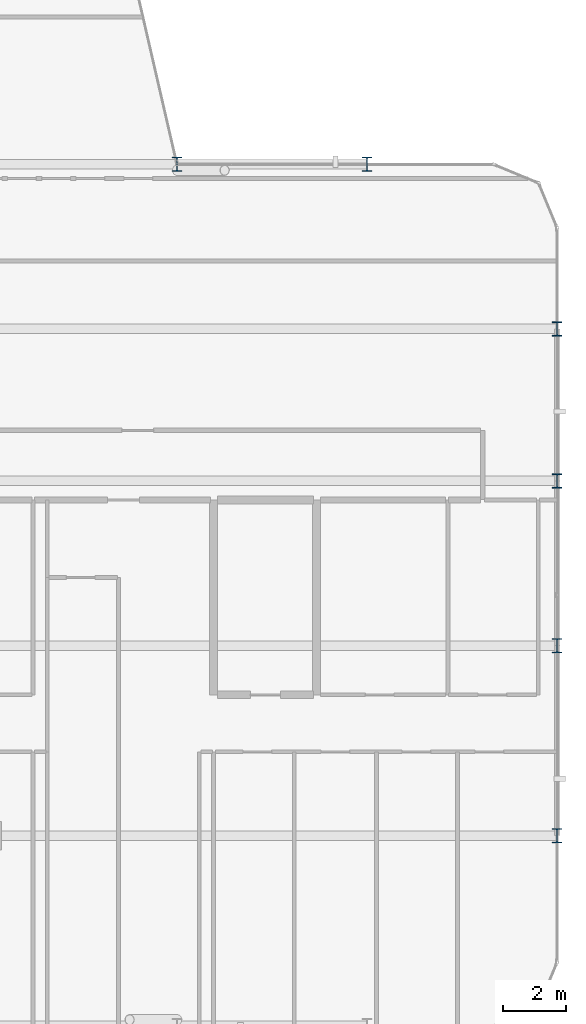
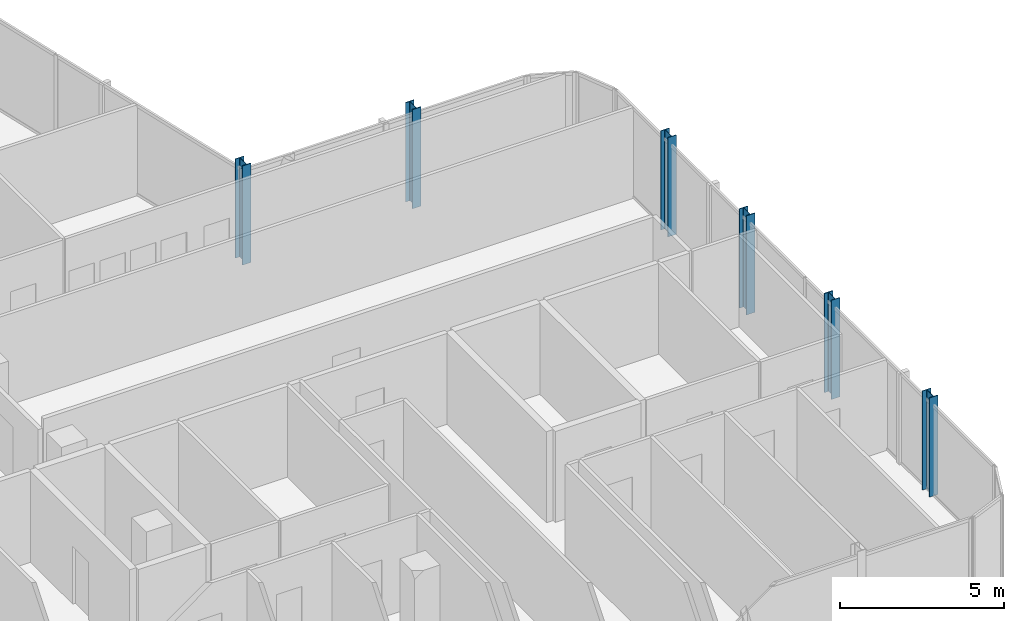
# One storey, part 2 of 29: 6 columns.
"""IFC4 building model written with IfcOpenShell, lengths in metres."""

import ifcopenshell
import ifcopenshell.guid

model = None  # the IFC model being written
_history = None  # IfcOwnerHistory: only IFC2X3 demands one
_inside = {}  # id of a spatial element -> (the spatial element, [elements in it])
_under = {}  # id of a project, library or spatial element -> (it, [spatial elements below it])
_declared = {}  # id of a project -> (the project, [libraries it declares])
_typed = {}  # id of a type object -> (the type object, [elements of that type])
_made_of = {}  # id of a material, layer set ... -> (it, [elements and type objects made of it])


def new_model(schema):
    """Start an empty IFC model of exactly this schema.

    Asked for "IFC4X3", IfcOpenShell would pick the latest addendum, in which some entities
    have other attributes; the version numbers below select the first issue.
    IFC2X3 requires an IfcOwnerHistory on every rooted entity: one is made here for all.
    """
    global model, _history
    if schema == "IFC4X3":
        model = ifcopenshell.file(schema_version=(4, 3, 0, 0))
    else:
        model = ifcopenshell.file(schema=schema)
    _inside.clear()
    _under.clear()
    _declared.clear()
    _typed.clear()
    _made_of.clear()
    _history = None
    if model.schema == "IFC2X3":
        org = make("IfcOrganization", Name="unknown")
        user = make(
            "IfcPersonAndOrganization",
            ThePerson=make("IfcPerson", FamilyName="unknown"),
            TheOrganization=org,
        )
        app = make(
            "IfcApplication",
            ApplicationDeveloper=org,
            Version="unknown",
            ApplicationFullName="unknown",
            ApplicationIdentifier="unknown",
        )
        _history = make(
            "IfcOwnerHistory",
            OwningUser=user,
            OwningApplication=app,
            ChangeAction="ADDED",
            CreationDate=0,
        )
    return model


def make(cls, **values):
    """One entity of the class cls with the attributes given. An attribute that is None is left unset."""
    return model.create_entity(
        cls, **{name: value for name, value in values.items() if value is not None}
    )


def rooted(cls, **values):
    """An entity with a GlobalId (a new one), such as an element, a storey or a relation."""
    return make(cls, GlobalId=ifcopenshell.guid.new(), OwnerHistory=_history, **values)


def si_unit(unit_type, name, prefix=None):
    """IfcSIUnit, for example si_unit("LENGTHUNIT", "METRE", prefix="MILLI")."""
    return make("IfcSIUnit", UnitType=unit_type, Prefix=prefix, Name=name)


def assignment(units):
    """IfcUnitAssignment: the units of a project."""
    return None if units is None else make("IfcUnitAssignment", Units=units)


def point(xyz):
    """IfcCartesianPoint."""
    return None if xyz is None else make("IfcCartesianPoint", Coordinates=xyz)


def direction(xyz):
    """IfcDirection."""
    return None if xyz is None else make("IfcDirection", DirectionRatios=xyz)


def frame(location, z_axis=None, x_axis=None):
    """IfcAxis2Placement3D, a coordinate frame: its origin and axes. An axis left out is left unset."""
    return make(
        "IfcAxis2Placement3D",
        Location=point(location),
        Axis=direction(z_axis),
        RefDirection=direction(x_axis),
    )


def frame_2d(location, x_axis=None):
    """IfcAxis2Placement2D, a coordinate frame in the plane: its origin and x axis."""
    return make(
        "IfcAxis2Placement2D", Location=point(location), RefDirection=direction(x_axis)
    )


def origin():
    """The frame at (0, 0, 0) with its axes left unset."""
    return frame((0.0, 0.0, 0.0))


def origin_2d():
    """The frame at (0, 0) in the plane with its x axis left unset."""
    return frame_2d((0.0, 0.0))


def place(relative_to, where):
    """IfcLocalPlacement: puts the frame where relative to a parent placement (None: the world)."""
    return make(
        "IfcLocalPlacement", PlacementRelTo=relative_to, RelativePlacement=where
    )


def context(
    kind, dimensions, precision=None, world=None, true_north=None, identifier=None
):
    """IfcGeometricRepresentationContext, for example the 3D "Model" context."""
    return make(
        "IfcGeometricRepresentationContext",
        ContextIdentifier=identifier,
        ContextType=kind,
        CoordinateSpaceDimension=dimensions,
        Precision=precision,
        WorldCoordinateSystem=world,
        TrueNorth=true_north,
    )


def subcontext(parent, identifier, kind, view, scale=None):
    """IfcGeometricRepresentationSubContext, for example "Body" below "Model"."""
    return make(
        "IfcGeometricRepresentationSubContext",
        ContextIdentifier=identifier,
        ContextType=kind,
        ParentContext=parent,
        TargetScale=scale,
        TargetView=view,
    )


def project(units=None, contexts=None):
    """IfcProject with its units and contexts."""
    return rooted(
        "IfcProject",
        Name="project",
        RepresentationContexts=contexts,
        UnitsInContext=assignment(units),
    )


def spatial(cls, under=None, at=None, **own):
    """A site, building, storey or space (cls), placed at a placement, below another one or the project."""
    s = rooted(cls, ObjectPlacement=at, **own)
    if under is not None:
        _under.setdefault(under.id(), (under, []))[1].append(s)
    return s


def profile(cls, at=None, kind="AREA", **sizes):
    """A parametric profile (cls). Its sizes go by their IFC names, for example OverallWidth=200.0."""
    return make(cls, ProfileType=kind, Position=at, **sizes)


def i_section(**sizes):
    """IfcIShapeProfileDef."""
    return profile("IfcIShapeProfileDef", **sizes)


def extrude(swept, where, along, depth):
    """IfcExtrudedAreaSolid: the profile swept, set in the frame where, extruded along a direction by depth."""
    return make(
        "IfcExtrudedAreaSolid",
        SweptArea=swept,
        Position=where,
        ExtrudedDirection=direction(along),
        Depth=depth,
    )


def shape(context_of_items, identifier, shape_type, items):
    """IfcShapeRepresentation: the items that make up one representation, for example the "Body"."""
    return make(
        "IfcShapeRepresentation",
        ContextOfItems=context_of_items,
        RepresentationIdentifier=identifier,
        RepresentationType=shape_type,
        Items=items,
    )


def material(Name=None, Category=None):
    """IfcMaterial."""
    return make("IfcMaterial", Name=Name, Category=Category)


def material_profile(
    of_material, cross_section, Name=None, Category=None, Priority=None
):
    """IfcMaterialProfile: a cross section and its material."""
    return make(
        "IfcMaterialProfile",
        Name=Name,
        Material=of_material,
        Profile=cross_section,
        Priority=Priority,
        Category=Category,
    )


def profile_set(profiles, Name=None, composite=None):
    """IfcMaterialProfileSet."""
    return make(
        "IfcMaterialProfileSet",
        Name=Name,
        MaterialProfiles=profiles,
        CompositeProfile=composite,
    )


def made_of(thing, what):
    """Note that an element or type object is made of a material, layer set ...; save() writes the relation."""
    if what is not None:
        _made_of.setdefault(what.id(), (what, []))[1].append(thing)
    return thing


def type_object(cls, material=None, **own):
    """A type object (cls), such as IfcWallType, which elements share."""
    return made_of(rooted(cls, **own), material)


def element(
    cls,
    number,
    at=None,
    inside=None,
    cuts=None,
    type_object=None,
    material=None,
    context=None,
    identifier="Body",
    shape_type=None,
    held_by="IfcProductDefinitionShape",
    body=None,
    shapes=None,
    **own,
):
    """One element of the class cls, such as IfcWall. Its Tag is "e" and its number.

    at: its placement. inside: the storey or other place that contains it. cuts: it is an
    opening in that element (IfcRelVoidsElement). A single representation is given by context,
    identifier, shape_type and body (its items); several are given by shapes. held_by: the class
    of the entity that holds the representations. save() writes the other relations.
    """
    e = rooted(cls, Tag="e%d" % number, ObjectPlacement=at, **own)
    if body is not None:
        shapes = [shape(context, identifier, shape_type, body)]
    if shapes is not None:
        e.Representation = make(held_by, Representations=shapes)
    if inside is not None:
        _inside.setdefault(inside.id(), (inside, []))[1].append(e)
    if cuts is not None:
        rooted(
            "IfcRelVoidsElement", RelatingBuildingElement=cuts, RelatedOpeningElement=e
        )
    if type_object is not None:
        _typed.setdefault(type_object.id(), (type_object, []))[1].append(e)
    return made_of(e, material)


def aggregate(whole, parts):
    """IfcRelAggregates: a whole, such as a stair, and the parts it consists of."""
    return rooted("IfcRelAggregates", RelatingObject=whole, RelatedObjects=parts)


def save(model, path):
    """Write the relations noted so far, then the file.

    IfcRelAggregates (storeys below a building ...), IfcRelContainedInSpatialStructure (elements
    in a storey), IfcRelDefinesByType, IfcRelAssociatesMaterial and IfcRelDeclares: one each for
    every whole, place, type object, material and project.
    """
    for whole, parts in _under.values():
        aggregate(whole, parts)
    for where, things in _inside.values():
        rooted(
            "IfcRelContainedInSpatialStructure",
            RelatedElements=things,
            RelatingStructure=where,
        )
    for kind, things in _typed.values():
        rooted("IfcRelDefinesByType", RelatedObjects=things, RelatingType=kind)
    for what, things in _made_of.values():
        rooted("IfcRelAssociatesMaterial", RelatedObjects=things, RelatingMaterial=what)
    for by, libraries in _declared.values():
        rooted("IfcRelDeclares", RelatingContext=by, RelatedDefinitions=libraries)
    model.write(path)


model = new_model("IFC4")

# Units and contexts
model_context = context("Model", 3, precision=1e-05, world=origin(), true_north=direction((0.0, 1.0)))
body_context = subcontext(model_context, "Body", "Model", "MODEL_VIEW")
ifc_project = project(units=[si_unit("LENGTHUNIT", "METRE"), si_unit("AREAUNIT", "SQUARE_METRE"), si_unit("VOLUMEUNIT", "CUBIC_METRE"), si_unit("PLANEANGLEUNIT", "RADIAN"), si_unit("MASSUNIT", "GRAM", prefix="KILO")], contexts=[model_context])

# Site, building, storey
site_placement = place(None, origin())
site = spatial("IfcSite", under=ifc_project, at=site_placement, CompositionType="ELEMENT")
building_placement = place(site_placement, origin())
building = spatial("IfcBuilding", under=site, at=building_placement, Name="Keshet Zoharim Tower", CompositionType="ELEMENT")
storey_placement = place(building_placement, frame((0.0, 0.0, 188.39990234375)))
storey = spatial("IfcBuildingStorey", under=building, at=storey_placement, Name="L46", CompositionType="ELEMENT", Elevation=188.39990234375)

# Columns
ifc_material = material(Name="Steel S355", Category="steel")
ifc_material_profile = material_profile(ifc_material, i_section(OverallWidth=0.300048828125, OverallDepth=0.449951171875, WebThickness=0.013916015625, FlangeThickness=0.02587890625, FilletRadius=0.027099609375, at=origin_2d()), Name="HEB450")
ifc_profile_set = profile_set([ifc_material_profile], Name="Steel S355")
column_type = type_object("IfcColumnType", Name="COL-HEB450", PredefinedType="COLUMN", material=ifc_profile_set)
for number, where, z_axis, x_axis, name in (
    (1, (45.0, 27.89990234375, 0.0), (0.0, 0.0, 1.0), (1.0, 0.0, 0.0), "L46 Column 8F"),
    (2, (51.0, 27.89990234375, 0.0), (0.0, 0.0, 1.0), (1.0, 0.0, 0.0), "L46 Column 9F"),
    (3, (57.0, 6.699951171875, 0.0), (0.0, 0.0, 1.0), (1.0, 0.0, 0.0), "L46 Column 10B"),
    (4, (57.0, 12.699951171875, 0.0), (0.0, 0.0, 1.0), (1.0, 0.0, 0.0), "L46 Column 10C"),
    (5, (57.0, 17.89990234375, 0.0), (0.0, 0.0, 1.0), (1.0, 0.0, 0.0), "L46 Column 10D"),
    (6, (57.0, 22.699951171875, 0.0), (0.0, 0.0, 1.0), (1.0, 0.0, 0.0), "L46 Column 10E"),
):
    element("IfcColumn", number, at=place(storey_placement, frame(where, z_axis=z_axis, x_axis=x_axis)), inside=storey, type_object=column_type, Name=name, PredefinedType="COLUMN", context=body_context, shape_type="SweptSolid", body=[
        extrude(i_section(OverallWidth=0.300048828125, OverallDepth=0.449951171875, WebThickness=0.013916015625, FlangeThickness=0.02587890625, FilletRadius=0.027099609375, at=origin_2d()), origin(), (0.0, 0.0, 1.0), 3.7001953125),
    ])

save(model, "model.ifc")
